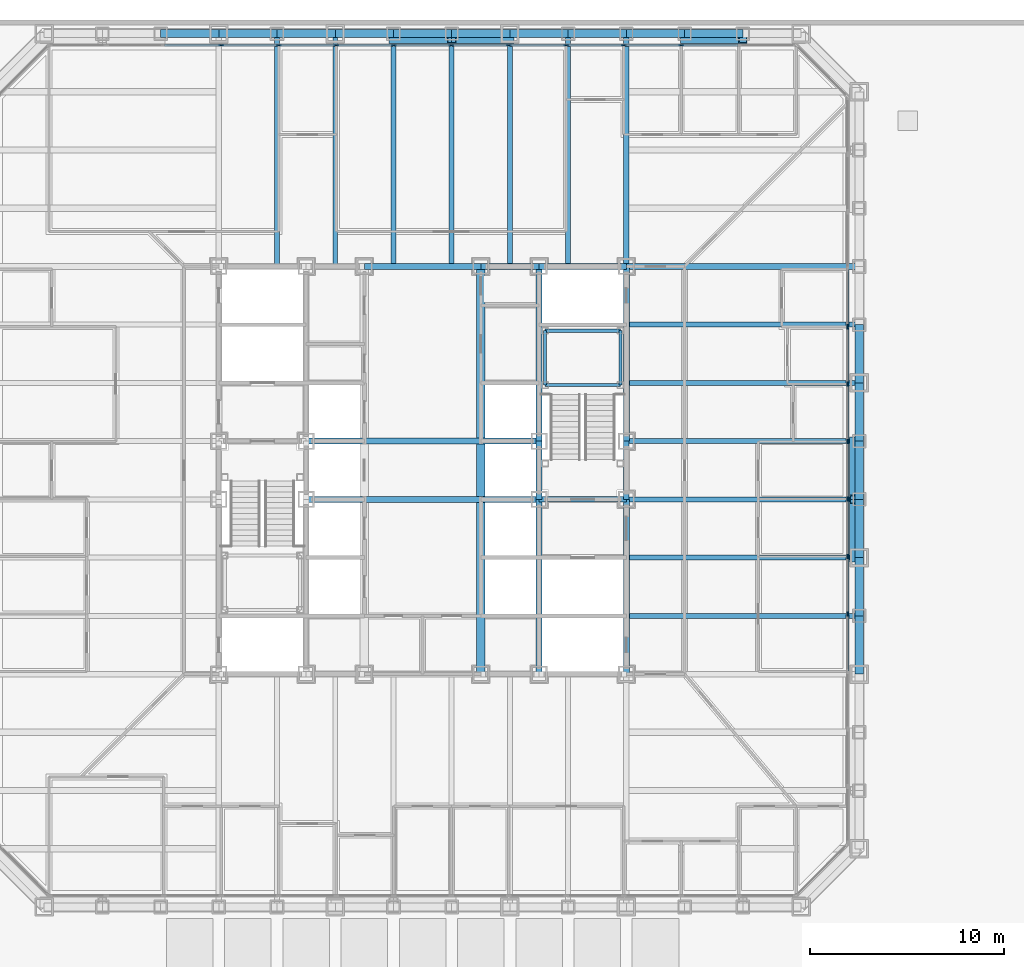
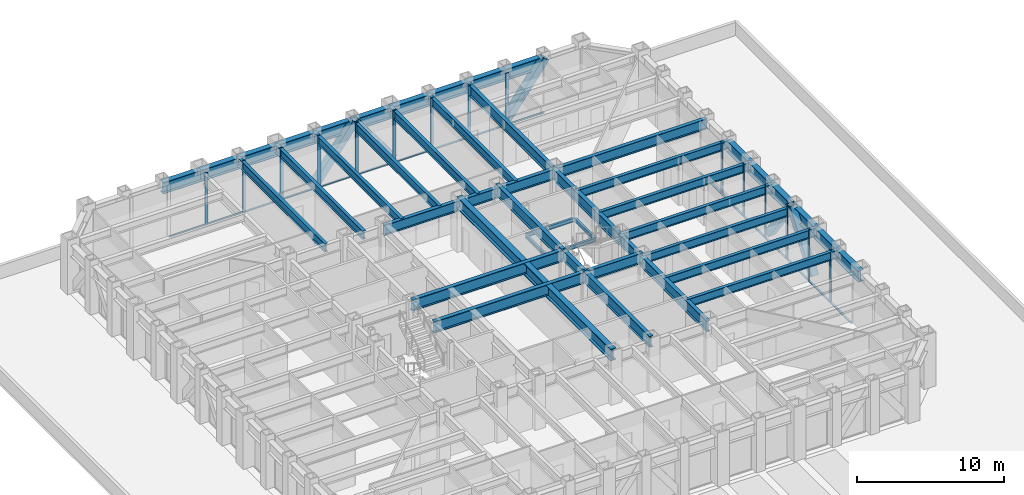
# One storey, part 5 of 18: 49 beams, 37 members, 2 elements without a shape of their own.
"""IFC4 building model written with IfcOpenShell, lengths in metres."""

from ifc_helpers import new_model, si_unit, direction, frame, origin, origin_2d, place, context, subcontext, project, spatial, rectangle, hollow_rectangle, i_section, extrude, material, layer, layer_set, material_profile, profile_set, type_object, element, aggregate, save


model = new_model("IFC4")

# Units and contexts
model_context = context("Model", 3, precision=1e-05, world=origin(), true_north=direction((0.0, 1.0)))
body_context = subcontext(model_context, "Body", "Model", "MODEL_VIEW")
ifc_project = project(units=[si_unit("LENGTHUNIT", "METRE"), si_unit("AREAUNIT", "SQUARE_METRE"), si_unit("VOLUMEUNIT", "CUBIC_METRE"), si_unit("PLANEANGLEUNIT", "RADIAN"), si_unit("MASSUNIT", "GRAM", prefix="KILO")], contexts=[model_context])

# Site, building, storey
site_placement = place(None, origin())
site = spatial("IfcSite", under=ifc_project, at=site_placement, CompositionType="ELEMENT")
building_placement = place(site_placement, origin())
building = spatial("IfcBuilding", under=site, at=building_placement, Name="Chuquiago Exchange Tower", CompositionType="ELEMENT")
storey_placement = place(building_placement, frame((0.0, 0.0, 24.300048828125)))
storey = spatial("IfcBuildingStorey", under=building, at=storey_placement, Name="L04", CompositionType="ELEMENT", Elevation=24.300048828125)

# Beams
ifc_material_1 = material(Name="Steel ASTM A992", Category="steel")
ifc_material_profile_1 = material_profile(ifc_material_1, i_section(OverallWidth=0.307373046875, OverallDepth=0.927001953125, WebThickness=0.01953125, FlangeThickness=0.031982421875, at=origin_2d()), Name="W36X194")
ifc_profile_set_1 = profile_set([ifc_material_profile_1], Name="Steel ASTM A992")
beam_type_1 = type_object("IfcBeamType", Name="B10 W36X194", PredefinedType="BEAM", material=ifc_profile_set_1)
for number, where, z_axis, x_axis, name in (
    (1, (28.5, 12.0, 3.87646484375), (0.0, 1.0, 0.0), (-1.0, 0.0, 0.0), "CB-L05-28.5_12-28.5_21"),
    (2, (28.5, 24.0, 3.87646484375), (0.0, 1.0, 0.0), (-1.0, 0.0, 0.0), "CB-L05-28.5_24-28.5_33"),
    (3, (33.0, 12.0, 3.576416015625), (0.0, 1.0, 0.0), (-1.0, 0.0, 0.0), "CB-L05-33_12-33_21"),
    (4, (33.0, 24.0, 3.576416015625), (0.0, 1.0, 0.0), (-1.0, 0.0, 0.0), "CB-L05-33_24-33_33"),
):
    element("IfcBeam", number, at=place(storey_placement, frame(where, z_axis=z_axis, x_axis=x_axis)), inside=storey, type_object=beam_type_1, Name=name, PredefinedType="BEAM", context=body_context, shape_type="SweptSolid", body=[
        extrude(i_section(OverallWidth=0.307373046875, OverallDepth=0.927001953125, WebThickness=0.01953125, FlangeThickness=0.031982421875, at=origin_2d()), origin(), (0.0, 0.0, 1.0), 9.0),
    ])
ifc_material_2 = material(Name="Steel ASTM A992", Category="steel")
ifc_material_profile_2 = material_profile(ifc_material_2, i_section(OverallWidth=0.309814453125, OverallDepth=0.949951171875, WebThickness=0.0244140625, FlangeThickness=0.0439453125, at=origin_2d()), Name="W36X256")
ifc_profile_set_2 = profile_set([ifc_material_profile_2], Name="Steel ASTM A992")
beam_type_2 = type_object("IfcBeamType", Name="B11 W36X256", PredefinedType="BEAM", material=ifc_profile_set_2)
for number, where, z_axis, x_axis, name in (
    (5, (16.5, 21.0, 3.864990234375), (1.0, 0.0, 0.0), (0.0, 1.0, 0.0), "CB-L05-16.5_21-28.5_21"),
    (6, (16.5, 24.0, 3.864990234375), (1.0, 0.0, 0.0), (0.0, 1.0, 0.0), "CB-L05-16.5_24-28.5_24"),
):
    element("IfcBeam", number, at=place(storey_placement, frame(where, z_axis=z_axis, x_axis=x_axis)), inside=storey, type_object=beam_type_2, Name=name, PredefinedType="BEAM", context=body_context, shape_type="SweptSolid", body=[
        extrude(i_section(OverallWidth=0.309814453125, OverallDepth=0.949951171875, WebThickness=0.0244140625, FlangeThickness=0.0439453125, at=origin_2d()), origin(), (0.0, 0.0, 1.0), 12.0),
    ])
ifc_material_3 = material(Name="Steel ASTM A992", Category="steel")
ifc_material_profile_3 = material_profile(ifc_material_3, i_section(OverallWidth=0.4267578125, OverallDepth=0.975341796875, WebThickness=0.031005859375, FlangeThickness=0.055908203125, at=origin_2d()), Name="W36X395")
ifc_profile_set_3 = profile_set([ifc_material_profile_3], Name="Steel ASTM A992")
beam_type_3 = type_object("IfcBeamType", Name="B12 W36X395", PredefinedType="BEAM", material=ifc_profile_set_3)
beam_1_placement = place(storey_placement, frame((25.5, 12.0, 3.852294921875), z_axis=(0.0, 1.0, 0.0), x_axis=(-1.0, 0.0, 0.0)))
element("IfcBeam", 7, at=beam_1_placement, inside=storey, type_object=beam_type_3, Name="CB-L05-25.5_12-25.5_20.8451", PredefinedType="BEAM", context=body_context, shape_type="SweptSolid", body=[
    extrude(i_section(OverallWidth=0.4267578125, OverallDepth=0.975341796875, WebThickness=0.031005859375, FlangeThickness=0.055908203125, at=origin_2d()), origin(), (0.0, 0.0, 1.0), 8.84521484375),
])
beam_2_placement = place(storey_placement, frame((25.5, 21.15478515625, 3.852294921875), z_axis=(0.0, 1.0, 0.0), x_axis=(-1.0, 0.0, 0.0)))
element("IfcBeam", 8, at=beam_2_placement, inside=storey, type_object=beam_type_3, Name="CB-L05-25.5_21.1549-25.5_23.8451", PredefinedType="BEAM", context=body_context, shape_type="SweptSolid", body=[
    extrude(i_section(OverallWidth=0.4267578125, OverallDepth=0.975341796875, WebThickness=0.031005859375, FlangeThickness=0.055908203125, at=origin_2d()), origin(), (0.0, 0.0, 1.0), 2.6904296875),
])
beam_3_placement = place(storey_placement, frame((25.5, 24.15478515625, 3.852294921875), z_axis=(0.0, 1.0, 0.0), x_axis=(-1.0, 0.0, 0.0)))
element("IfcBeam", 9, at=beam_3_placement, inside=storey, type_object=beam_type_3, Name="CB-L05-25.5_24.1549-25.5_33", PredefinedType="BEAM", context=body_context, shape_type="SweptSolid", body=[
    extrude(i_section(OverallWidth=0.4267578125, OverallDepth=0.975341796875, WebThickness=0.031005859375, FlangeThickness=0.055908203125, at=origin_2d()), origin(), (0.0, 0.0, 1.0), 8.84521484375),
])
ifc_material_4 = material(Name="Steel ASTM A992", Category="steel")
ifc_material_profile_4 = material_profile(ifc_material_4, i_section(OverallWidth=0.2919921875, OverallDepth=0.8583984375, WebThickness=0.01708984375, FlangeThickness=0.031005859375, at=origin_2d()), Name="W33X169")
ifc_profile_set_4 = profile_set([ifc_material_profile_4], Name="Steel ASTM A992")
beam_type_4 = type_object("IfcBeamType", Name="B3 W33X169", PredefinedType="BEAM", material=ifc_profile_set_4)
for number, where, z_axis, x_axis, name in (
    (10, (28.5, 21.0, 3.91064453125), (0.0, 1.0, 0.0), (-1.0, 0.0, 0.0), "CB-L05-28.5_21-28.5_24"),
    (11, (33.0, 21.0, 3.610595703125), (0.0, 1.0, 0.0), (-1.0, 0.0, 0.0), "CB-L05-33_21-33_24"),
):
    element("IfcBeam", number, at=place(storey_placement, frame(where, z_axis=z_axis, x_axis=x_axis)), inside=storey, type_object=beam_type_4, Name=name, PredefinedType="BEAM", context=body_context, shape_type="SweptSolid", body=[
        extrude(i_section(OverallWidth=0.2919921875, OverallDepth=0.8583984375, WebThickness=0.01708984375, FlangeThickness=0.031005859375, at=origin_2d()), origin(), (0.0, 0.0, 1.0), 3.0),
    ])
beam_4_placement = place(storey_placement, frame((28.5, 21.0, 3.91064453125), z_axis=(1.0, 0.0, 0.0), x_axis=(0.0, 1.0, 0.0)))
element("IfcBeam", 12, at=beam_4_placement, inside=storey, type_object=beam_type_4, Name="CB-L05-28.5_21-33_21", PredefinedType="BEAM", context=body_context, shape_type="SweptSolid", body=[
    extrude(i_section(OverallWidth=0.2919921875, OverallDepth=0.8583984375, WebThickness=0.01708984375, FlangeThickness=0.031005859375, at=origin_2d()), origin(), (0.0, 0.0, 1.0), 4.5),
])
beam_5_placement = place(storey_placement, frame((19.5, 33.0, 3.610595703125), z_axis=(1.0, 0.0, 0.0), x_axis=(0.0, 1.0, 0.0)))
element("IfcBeam", 13, at=beam_5_placement, inside=storey, type_object=beam_type_4, Name="CB-L05-19.5_33-25.5_33", PredefinedType="BEAM", context=body_context, shape_type="SweptSolid", body=[
    extrude(i_section(OverallWidth=0.2919921875, OverallDepth=0.8583984375, WebThickness=0.01708984375, FlangeThickness=0.031005859375, at=origin_2d()), origin(), (0.0, 0.0, 1.0), 6.0),
])
beam_6_placement = place(storey_placement, frame((25.5, 33.0, 3.610595703125), z_axis=(1.0, 0.0, 0.0), x_axis=(0.0, 1.0, 0.0)))
element("IfcBeam", 14, at=beam_6_placement, inside=storey, type_object=beam_type_4, Name="CB-L05-25.5_33-28.5_33", PredefinedType="BEAM", context=body_context, shape_type="SweptSolid", body=[
    extrude(i_section(OverallWidth=0.2919921875, OverallDepth=0.8583984375, WebThickness=0.01708984375, FlangeThickness=0.031005859375, at=origin_2d()), origin(), (0.0, 0.0, 1.0), 3.0),
])
beam_7_placement = place(storey_placement, frame((28.5, 33.0, 3.610595703125), z_axis=(1.0, 0.0, 0.0), x_axis=(0.0, 1.0, 0.0)))
element("IfcBeam", 15, at=beam_7_placement, inside=storey, type_object=beam_type_4, Name="CB-L05-28.5_33-33_33", PredefinedType="BEAM", context=body_context, shape_type="SweptSolid", body=[
    extrude(i_section(OverallWidth=0.2919921875, OverallDepth=0.8583984375, WebThickness=0.01708984375, FlangeThickness=0.031005859375, at=origin_2d()), origin(), (0.0, 0.0, 1.0), 4.5),
])
ifc_material_5 = material(Name="Steel ASTM A992", Category="steel")
ifc_material_profile_5 = material_profile(ifc_material_5, i_section(OverallWidth=0.256591796875, OverallDepth=0.693359375, WebThickness=0.014404296875, FlangeThickness=0.023681640625, at=origin_2d()), Name="W27X114")
ifc_profile_set_5 = profile_set([ifc_material_profile_5], Name="Steel ASTM A992")
beam_type_5 = type_object("IfcBeamType", Name="B4 W27X114", PredefinedType="BEAM", material=ifc_profile_set_5)
for number, where, z_axis, x_axis, name in (
    (16, (15.0, 33.0, 3.693359375), (0.0, 1.0, 0.0), (-1.0, 0.0, 0.0), "FB-L05-infill-15_33-15_45-0"),
    (17, (18.0, 33.0, 3.693359375), (0.0, 1.0, 0.0), (-1.0, 0.0, 0.0), "FB-L05-infill-18_33-18_45-0"),
    (18, (21.0, 33.0, 3.693359375), (0.0, 1.0, 0.0), (-1.0, 0.0, 0.0), "FB-L05-infill-21_33-21_45-0"),
    (19, (24.0, 33.0, 3.693359375), (0.0, 1.0, 0.0), (-1.0, 0.0, 0.0), "FB-L05-infill-24_33-24_45-0"),
    (20, (27.0, 33.0, 3.693359375), (0.0, 1.0, 0.0), (-1.0, 0.0, 0.0), "FB-L05-infill-27_33-27_45-0"),
    (21, (30.0, 33.0, 3.693359375), (0.0, 1.0, 0.0), (-1.0, 0.0, 0.0), "FB-L05-infill-30_33-30_45-0"),
    (22, (33.0, 15.0, 3.693359375), (1.0, 0.0, 0.0), (0.0, 1.0, 0.0), "FB-L05-infill-33_15-45_15-0"),
    (23, (33.0, 18.0, 3.693359375), (1.0, 0.0, 0.0), (0.0, 1.0, 0.0), "FB-L05-infill-33_18-45_18-0"),
    (24, (33.0, 21.0, 3.693359375), (1.0, 0.0, 0.0), (0.0, 1.0, 0.0), "FB-L05-infill-33_21-45_21-0"),
    (25, (33.0, 24.0, 3.693359375), (1.0, 0.0, 0.0), (0.0, 1.0, 0.0), "FB-L05-infill-33_24-45_24-0"),
    (26, (33.0, 27.0, 3.693359375), (1.0, 0.0, 0.0), (0.0, 1.0, 0.0), "FB-L05-infill-33_27-45_27-0"),
    (27, (33.0, 30.0, 3.693359375), (1.0, 0.0, 0.0), (0.0, 1.0, 0.0), "FB-L05-infill-33_30-45_30-0"),
):
    element("IfcBeam", number, at=place(storey_placement, frame(where, z_axis=z_axis, x_axis=x_axis)), inside=storey, type_object=beam_type_5, Name=name, PredefinedType="BEAM", context=body_context, shape_type="SweptSolid", body=[
        extrude(i_section(OverallWidth=0.256591796875, OverallDepth=0.693359375, WebThickness=0.014404296875, FlangeThickness=0.023681640625, at=origin_2d()), origin(), (0.0, 0.0, 1.0), 12.0),
    ])

# Curtain wall, members
ifc_material_6 = material(Name="Aluminium curtain wall system", Category="aluminium")
ifc_layer = layer(ifc_material_6, 0.25)
ifc_layer_set = layer_set([ifc_layer], Name="CW1 trading floor curtain wall")
curtain_wall_type = type_object("IfcCurtainWallType", Name="CW1 trading floor curtain wall", PredefinedType="NOTDEFINED", material=ifc_layer_set)
curtain_wall_1_placement = place(storey_placement, origin())
curtain_wall_1 = element("IfcCurtainWall", 28, at=curtain_wall_1_placement, inside=storey, type_object=curtain_wall_type, Name="CW1 curtain wall L04", PredefinedType="NOTDEFINED")
ifc_material_7 = material(Name="Aluminium mullion, pale anodised", Category="aluminium")
ifc_material_profile_6 = material_profile(ifc_material_7, rectangle(XDim=0.074951171875, YDim=0.25, at=origin_2d()), Name="AL 75x250")
ifc_profile_set_6 = profile_set([ifc_material_profile_6], Name="Aluminium mullion, pale anodised")
member_type_1 = type_object("IfcMemberType", Name="CW1-M mullion 75x250", PredefinedType="MULLION", material=ifc_profile_set_6)
member_1_placement = place(storey_placement, frame((44.39990234375, 15.095458984375, -0.300048828125), z_axis=(0.0, 0.0, 1.0), x_axis=(-1.0, 0.0, 0.0)))
member_1 = element("IfcMember", 29, at=member_1_placement, type_object=member_type_1, Name="CW1 mullion 5", PredefinedType="MULLION", context=body_context, shape_type="SweptSolid", body=[
    extrude(rectangle(XDim=0.074951171875, YDim=0.25, at=origin_2d()), origin(), (0.0, 0.0, 1.0), 4.340087890625),
])
member_2_placement = place(storey_placement, frame((44.39990234375, 18.057373046875, -0.300048828125), z_axis=(0.0, 0.0, 1.0), x_axis=(-1.0, 0.0, 0.0)))
member_2 = element("IfcMember", 30, at=member_2_placement, type_object=member_type_1, Name="CW1 mullion 6", PredefinedType="MULLION", context=body_context, shape_type="SweptSolid", body=[
    extrude(rectangle(XDim=0.074951171875, YDim=0.25, at=origin_2d()), origin(), (0.0, 0.0, 1.0), 4.340087890625),
])
member_3_placement = place(storey_placement, frame((44.39990234375, 21.01904296875, -0.300048828125), z_axis=(0.0, 0.0, 1.0), x_axis=(-1.0, 0.0, 0.0)))
member_3 = element("IfcMember", 31, at=member_3_placement, type_object=member_type_1, Name="CW1 mullion 7", PredefinedType="MULLION", context=body_context, shape_type="SweptSolid", body=[
    extrude(rectangle(XDim=0.074951171875, YDim=0.25, at=origin_2d()), origin(), (0.0, 0.0, 1.0), 4.340087890625),
])
member_4_placement = place(storey_placement, frame((44.39990234375, 23.98095703125, -0.300048828125), z_axis=(0.0, 0.0, 1.0), x_axis=(-1.0, 0.0, 0.0)))
member_4 = element("IfcMember", 32, at=member_4_placement, type_object=member_type_1, Name="CW1 mullion 8", PredefinedType="MULLION", context=body_context, shape_type="SweptSolid", body=[
    extrude(rectangle(XDim=0.074951171875, YDim=0.25, at=origin_2d()), origin(), (0.0, 0.0, 1.0), 4.340087890625),
])
member_5_placement = place(storey_placement, frame((44.39990234375, 26.942626953125, -0.300048828125), z_axis=(0.0, 0.0, 1.0), x_axis=(-1.0, 0.0, 0.0)))
member_5 = element("IfcMember", 33, at=member_5_placement, type_object=member_type_1, Name="CW1 mullion 9", PredefinedType="MULLION", context=body_context, shape_type="SweptSolid", body=[
    extrude(rectangle(XDim=0.074951171875, YDim=0.25, at=origin_2d()), origin(), (0.0, 0.0, 1.0), 4.340087890625),
])
member_6_placement = place(storey_placement, frame((44.39990234375, 29.904541015625, -0.300048828125), z_axis=(0.0, 0.0, 1.0), x_axis=(-1.0, 0.0, 0.0)))
member_6 = element("IfcMember", 34, at=member_6_placement, type_object=member_type_1, Name="CW1 mullion 10", PredefinedType="MULLION", context=body_context, shape_type="SweptSolid", body=[
    extrude(rectangle(XDim=0.074951171875, YDim=0.25, at=origin_2d()), origin(), (0.0, 0.0, 1.0), 4.340087890625),
])

curtain_wall_2_placement = place(storey_placement, origin())
curtain_wall_2 = element("IfcCurtainWall", 35, at=curtain_wall_2_placement, inside=storey, type_object=curtain_wall_type, Name="CW1 curtain wall L04", PredefinedType="NOTDEFINED")
member_7_placement = place(storey_placement, frame((35.827880859375, 44.39990234375, -0.300048828125), z_axis=(0.0, 0.0, 1.0), x_axis=(0.0, -1.0, 0.0)))
member_7 = element("IfcMember", 36, at=member_7_placement, type_object=member_type_1, Name="CW1 mullion 3", PredefinedType="MULLION", context=body_context, shape_type="SweptSolid", body=[
    extrude(rectangle(XDim=0.074951171875, YDim=0.25, at=origin_2d()), origin(), (0.0, 0.0, 1.0), 4.340087890625),
])
member_8_placement = place(storey_placement, frame((32.8662109375, 44.39990234375, -0.300048828125), z_axis=(0.0, 0.0, 1.0), x_axis=(0.0, -1.0, 0.0)))
member_8 = element("IfcMember", 37, at=member_8_placement, type_object=member_type_1, Name="CW1 mullion 4", PredefinedType="MULLION", context=body_context, shape_type="SweptSolid", body=[
    extrude(rectangle(XDim=0.074951171875, YDim=0.25, at=origin_2d()), origin(), (0.0, 0.0, 1.0), 4.340087890625),
])
member_9_placement = place(storey_placement, frame((29.904541015625, 44.39990234375, -0.300048828125), z_axis=(0.0, 0.0, 1.0), x_axis=(0.0, -1.0, 0.0)))
member_9 = element("IfcMember", 38, at=member_9_placement, type_object=member_type_1, Name="CW1 mullion 5", PredefinedType="MULLION", context=body_context, shape_type="SweptSolid", body=[
    extrude(rectangle(XDim=0.074951171875, YDim=0.25, at=origin_2d()), origin(), (0.0, 0.0, 1.0), 4.340087890625),
])
member_10_placement = place(storey_placement, frame((26.942626953125, 44.39990234375, -0.300048828125), z_axis=(0.0, 0.0, 1.0), x_axis=(0.0, -1.0, 0.0)))
member_10 = element("IfcMember", 39, at=member_10_placement, type_object=member_type_1, Name="CW1 mullion 6", PredefinedType="MULLION", context=body_context, shape_type="SweptSolid", body=[
    extrude(rectangle(XDim=0.074951171875, YDim=0.25, at=origin_2d()), origin(), (0.0, 0.0, 1.0), 4.340087890625),
])
member_11_placement = place(storey_placement, frame((23.98095703125, 44.39990234375, -0.300048828125), z_axis=(0.0, 0.0, 1.0), x_axis=(0.0, -1.0, 0.0)))
member_11 = element("IfcMember", 40, at=member_11_placement, type_object=member_type_1, Name="CW1 mullion 7", PredefinedType="MULLION", context=body_context, shape_type="SweptSolid", body=[
    extrude(rectangle(XDim=0.074951171875, YDim=0.25, at=origin_2d()), origin(), (0.0, 0.0, 1.0), 4.340087890625),
])
member_12_placement = place(storey_placement, frame((21.01904296875, 44.39990234375, -0.300048828125), z_axis=(0.0, 0.0, 1.0), x_axis=(0.0, -1.0, 0.0)))
member_12 = element("IfcMember", 41, at=member_12_placement, type_object=member_type_1, Name="CW1 mullion 8", PredefinedType="MULLION", context=body_context, shape_type="SweptSolid", body=[
    extrude(rectangle(XDim=0.074951171875, YDim=0.25, at=origin_2d()), origin(), (0.0, 0.0, 1.0), 4.340087890625),
])
member_13_placement = place(storey_placement, frame((18.057373046875, 44.39990234375, -0.300048828125), z_axis=(0.0, 0.0, 1.0), x_axis=(0.0, -1.0, 0.0)))
member_13 = element("IfcMember", 42, at=member_13_placement, type_object=member_type_1, Name="CW1 mullion 9", PredefinedType="MULLION", context=body_context, shape_type="SweptSolid", body=[
    extrude(rectangle(XDim=0.074951171875, YDim=0.25, at=origin_2d()), origin(), (0.0, 0.0, 1.0), 4.340087890625),
])
member_14_placement = place(storey_placement, frame((15.095458984375, 44.39990234375, -0.300048828125), z_axis=(0.0, 0.0, 1.0), x_axis=(0.0, -1.0, 0.0)))
member_14 = element("IfcMember", 43, at=member_14_placement, type_object=member_type_1, Name="CW1 mullion 10", PredefinedType="MULLION", context=body_context, shape_type="SweptSolid", body=[
    extrude(rectangle(XDim=0.074951171875, YDim=0.25, at=origin_2d()), origin(), (0.0, 0.0, 1.0), 4.340087890625),
])
member_15_placement = place(storey_placement, frame((12.1337890625, 44.39990234375, -0.300048828125), z_axis=(0.0, 0.0, 1.0), x_axis=(0.0, -1.0, 0.0)))
member_15 = element("IfcMember", 44, at=member_15_placement, type_object=member_type_1, Name="CW1 mullion 11", PredefinedType="MULLION", context=body_context, shape_type="SweptSolid", body=[
    extrude(rectangle(XDim=0.074951171875, YDim=0.25, at=origin_2d()), origin(), (0.0, 0.0, 1.0), 4.340087890625),
])

# Member
ifc_material_8 = material(Name="Aluminium transom, pale anodised", Category="aluminium")
ifc_material_profile_7 = material_profile(ifc_material_8, rectangle(XDim=0.14990234375, YDim=0.074951171875, at=origin_2d()), Name="AL 150x75")
ifc_profile_set_7 = profile_set([ifc_material_profile_7], Name="Aluminium transom, pale anodised")
member_type_2 = type_object("IfcMemberType", Name="CW1-T transom 75x150", PredefinedType="MULLION", material=ifc_profile_set_7)
member_16_placement = place(storey_placement, frame((44.39990234375, 12.17138671875, -0.262451171875), z_axis=(0.0, 1.0, 0.0), x_axis=(-1.0, 0.0, 0.0)))
member_16 = element("IfcMember", 45, at=member_16_placement, type_object=member_type_2, Name="CW1 transom 4.1", PredefinedType="MULLION", context=body_context, shape_type="SweptSolid", body=[
    extrude(rectangle(XDim=0.14990234375, YDim=0.074951171875, at=origin_2d()), origin(), (0.0, 0.0, 1.0), 2.88671875),
])

member_17_placement = place(storey_placement, frame((44.39990234375, 15.133056640625, -0.262451171875), z_axis=(0.0, 1.0, 0.0), x_axis=(-1.0, 0.0, 0.0)))
member_17 = element("IfcMember", 46, at=member_17_placement, type_object=member_type_2, Name="CW1 transom 5.1", PredefinedType="MULLION", context=body_context, shape_type="SweptSolid", body=[
    extrude(rectangle(XDim=0.14990234375, YDim=0.074951171875, at=origin_2d()), origin(), (0.0, 0.0, 1.0), 2.88671875),
])

member_18_placement = place(storey_placement, frame((44.39990234375, 18.0947265625, -0.262451171875), z_axis=(0.0, 1.0, 0.0), x_axis=(-1.0, 0.0, 0.0)))
member_18 = element("IfcMember", 47, at=member_18_placement, type_object=member_type_2, Name="CW1 transom 6.1", PredefinedType="MULLION", context=body_context, shape_type="SweptSolid", body=[
    extrude(rectangle(XDim=0.14990234375, YDim=0.074951171875, at=origin_2d()), origin(), (0.0, 0.0, 1.0), 2.886962890625),
])

member_19_placement = place(storey_placement, frame((44.39990234375, 21.056640625, -0.262451171875), z_axis=(0.0, 1.0, 0.0), x_axis=(-1.0, 0.0, 0.0)))
member_19 = element("IfcMember", 48, at=member_19_placement, type_object=member_type_2, Name="CW1 transom 7.1", PredefinedType="MULLION", context=body_context, shape_type="SweptSolid", body=[
    extrude(rectangle(XDim=0.14990234375, YDim=0.074951171875, at=origin_2d()), origin(), (0.0, 0.0, 1.0), 2.88671875),
])

member_20_placement = place(storey_placement, frame((44.39990234375, 24.018310546875, -0.262451171875), z_axis=(0.0, 1.0, 0.0), x_axis=(-1.0, 0.0, 0.0)))
member_20 = element("IfcMember", 49, at=member_20_placement, type_object=member_type_2, Name="CW1 transom 8.1", PredefinedType="MULLION", context=body_context, shape_type="SweptSolid", body=[
    extrude(rectangle(XDim=0.14990234375, YDim=0.074951171875, at=origin_2d()), origin(), (0.0, 0.0, 1.0), 2.886962890625),
])

member_21_placement = place(storey_placement, frame((44.39990234375, 26.980224609375, -0.262451171875), z_axis=(0.0, 1.0, 0.0), x_axis=(-1.0, 0.0, 0.0)))
member_21 = element("IfcMember", 50, at=member_21_placement, type_object=member_type_2, Name="CW1 transom 9.1", PredefinedType="MULLION", context=body_context, shape_type="SweptSolid", body=[
    extrude(rectangle(XDim=0.14990234375, YDim=0.074951171875, at=origin_2d()), origin(), (0.0, 0.0, 1.0), 2.88671875),
])

member_22_placement = place(storey_placement, frame((44.39990234375, 29.94189453125, -0.262451171875), z_axis=(0.0, 1.0, 0.0), x_axis=(-1.0, 0.0, 0.0)))
member_22 = element("IfcMember", 51, at=member_22_placement, type_object=member_type_2, Name="CW1 transom 10.1", PredefinedType="MULLION", context=body_context, shape_type="SweptSolid", body=[
    extrude(rectangle(XDim=0.14990234375, YDim=0.074951171875, at=origin_2d()), origin(), (0.0, 0.0, 1.0), 2.88671875),
])

aggregate(curtain_wall_1, [member_1, member_2, member_3, member_4, member_5, member_6, member_16, member_17, member_18, member_19, member_20, member_21, member_22])

member_23_placement = place(storey_placement, frame((38.752197265625, 44.39990234375, -0.262451171875), z_axis=(-1.0, 0.0, 0.0), x_axis=(0.0, -1.0, 0.0)))
member_23 = element("IfcMember", 52, at=member_23_placement, type_object=member_type_2, Name="CW1 transom 2.1", PredefinedType="MULLION", context=body_context, shape_type="SweptSolid", body=[
    extrude(rectangle(XDim=0.14990234375, YDim=0.074951171875, at=origin_2d()), origin(), (0.0, 0.0, 1.0), 2.88671875),
])

member_24_placement = place(storey_placement, frame((35.79052734375, 44.39990234375, -0.262451171875), z_axis=(-1.0, 0.0, 0.0), x_axis=(0.0, -1.0, 0.0)))
member_24 = element("IfcMember", 53, at=member_24_placement, type_object=member_type_2, Name="CW1 transom 3.1", PredefinedType="MULLION", context=body_context, shape_type="SweptSolid", body=[
    extrude(rectangle(XDim=0.14990234375, YDim=0.074951171875, at=origin_2d()), origin(), (0.0, 0.0, 1.0), 2.88671875),
])

member_25_placement = place(storey_placement, frame((32.82861328125, 44.39990234375, -0.262451171875), z_axis=(-1.0, 0.0, 0.0), x_axis=(0.0, -1.0, 0.0)))
member_25 = element("IfcMember", 54, at=member_25_placement, type_object=member_type_2, Name="CW1 transom 4.1", PredefinedType="MULLION", context=body_context, shape_type="SweptSolid", body=[
    extrude(rectangle(XDim=0.14990234375, YDim=0.074951171875, at=origin_2d()), origin(), (0.0, 0.0, 1.0), 2.88671875),
])

member_26_placement = place(storey_placement, frame((29.866943359375, 44.39990234375, -0.262451171875), z_axis=(-1.0, 0.0, 0.0), x_axis=(0.0, -1.0, 0.0)))
member_26 = element("IfcMember", 55, at=member_26_placement, type_object=member_type_2, Name="CW1 transom 5.1", PredefinedType="MULLION", context=body_context, shape_type="SweptSolid", body=[
    extrude(rectangle(XDim=0.14990234375, YDim=0.074951171875, at=origin_2d()), origin(), (0.0, 0.0, 1.0), 2.88671875),
])

member_27_placement = place(storey_placement, frame((26.9052734375, 44.39990234375, -0.262451171875), z_axis=(-1.0, 0.0, 0.0), x_axis=(0.0, -1.0, 0.0)))
member_27 = element("IfcMember", 56, at=member_27_placement, type_object=member_type_2, Name="CW1 transom 6.1", PredefinedType="MULLION", context=body_context, shape_type="SweptSolid", body=[
    extrude(rectangle(XDim=0.14990234375, YDim=0.074951171875, at=origin_2d()), origin(), (0.0, 0.0, 1.0), 2.886962890625),
])

member_28_placement = place(storey_placement, frame((23.943359375, 44.39990234375, -0.262451171875), z_axis=(-1.0, 0.0, 0.0), x_axis=(0.0, -1.0, 0.0)))
member_28 = element("IfcMember", 57, at=member_28_placement, type_object=member_type_2, Name="CW1 transom 7.1", PredefinedType="MULLION", context=body_context, shape_type="SweptSolid", body=[
    extrude(rectangle(XDim=0.14990234375, YDim=0.074951171875, at=origin_2d()), origin(), (0.0, 0.0, 1.0), 2.88671875),
])

member_29_placement = place(storey_placement, frame((20.981689453125, 44.39990234375, -0.262451171875), z_axis=(-1.0, 0.0, 0.0), x_axis=(0.0, -1.0, 0.0)))
member_29 = element("IfcMember", 58, at=member_29_placement, type_object=member_type_2, Name="CW1 transom 8.1", PredefinedType="MULLION", context=body_context, shape_type="SweptSolid", body=[
    extrude(rectangle(XDim=0.14990234375, YDim=0.074951171875, at=origin_2d()), origin(), (0.0, 0.0, 1.0), 2.886962890625),
])

member_30_placement = place(storey_placement, frame((18.019775390625, 44.39990234375, -0.262451171875), z_axis=(-1.0, 0.0, 0.0), x_axis=(0.0, -1.0, 0.0)))
member_30 = element("IfcMember", 59, at=member_30_placement, type_object=member_type_2, Name="CW1 transom 9.1", PredefinedType="MULLION", context=body_context, shape_type="SweptSolid", body=[
    extrude(rectangle(XDim=0.14990234375, YDim=0.074951171875, at=origin_2d()), origin(), (0.0, 0.0, 1.0), 2.88671875),
])

member_31_placement = place(storey_placement, frame((15.05810546875, 44.39990234375, -0.262451171875), z_axis=(-1.0, 0.0, 0.0), x_axis=(0.0, -1.0, 0.0)))
member_31 = element("IfcMember", 60, at=member_31_placement, type_object=member_type_2, Name="CW1 transom 10.1", PredefinedType="MULLION", context=body_context, shape_type="SweptSolid", body=[
    extrude(rectangle(XDim=0.14990234375, YDim=0.074951171875, at=origin_2d()), origin(), (0.0, 0.0, 1.0), 2.88671875),
])

member_32_placement = place(storey_placement, frame((12.09619140625, 44.39990234375, -0.262451171875), z_axis=(-1.0, 0.0, 0.0), x_axis=(0.0, -1.0, 0.0)))
member_32 = element("IfcMember", 61, at=member_32_placement, type_object=member_type_2, Name="CW1 transom 11.1", PredefinedType="MULLION", context=body_context, shape_type="SweptSolid", body=[
    extrude(rectangle(XDim=0.14990234375, YDim=0.074951171875, at=origin_2d()), origin(), (0.0, 0.0, 1.0), 2.88671875),
])

aggregate(curtain_wall_2, [member_7, member_8, member_9, member_10, member_11, member_12, member_13, member_14, member_15, member_23, member_24, member_25, member_26, member_27, member_28, member_29, member_30, member_31, member_32])

# Beams
ifc_material_9 = material(Name="Steel ASTM A992", Category="steel")
ifc_material_profile_8 = material_profile(ifc_material_9, i_section(OverallWidth=0.2919921875, OverallDepth=0.8583984375, WebThickness=0.01708984375, FlangeThickness=0.031005859375, at=origin_2d()), Name="W33X169")
ifc_profile_set_8 = profile_set([ifc_material_profile_8], Name="Steel ASTM A992")
beam_type_6 = type_object("IfcBeamType", Name="G2 W33X169", PredefinedType="BEAM", material=ifc_profile_set_8)
for number, where, z_axis, x_axis, name in (
    (62, (33.0, 33.0, 3.610595703125), (0.0, 1.0, 0.0), (-1.0, 0.0, 0.0), "FB-L05-girder-33_33-33_45-0"),
    (63, (33.0, 33.0, 3.610595703125), (1.0, 0.0, 0.0), (0.0, 1.0, 0.0), "FB-L05-girder-33_33-45_33-0"),
):
    element("IfcBeam", number, at=place(storey_placement, frame(where, z_axis=z_axis, x_axis=x_axis)), inside=storey, type_object=beam_type_6, Name=name, PredefinedType="BEAM", context=body_context, shape_type="SweptSolid", body=[
        extrude(i_section(OverallWidth=0.2919921875, OverallDepth=0.8583984375, WebThickness=0.01708984375, FlangeThickness=0.031005859375, at=origin_2d()), origin(), (0.0, 0.0, 1.0), 12.0),
    ])
ifc_material_10 = material(Name="Steel ASTM A992", Category="steel")
ifc_material_profile_9 = material_profile(ifc_material_10, i_section(OverallWidth=0.164794921875, OverallDepth=0.309814453125, WebThickness=0.005859375, FlangeThickness=0.009765625, at=origin_2d()), Name="W12X26")
ifc_profile_set_9 = profile_set([ifc_material_profile_9], Name="Steel ASTM A992")
beam_type_7 = type_object("IfcBeamType", Name="LS1 W12X26", PredefinedType="BEAM", material=ifc_profile_set_9)
for number, where, z_axis, x_axis, name in (
    (64, (28.81005859375, 26.889892578125, 1.89501953125), (0.0, 1.0, 0.0), (-1.0, 0.0, 0.0), "Stair ST2 L04 landing 1 stringer"),
    (65, (32.68994140625, 26.889892578125, 1.89501953125), (0.0, 1.0, 0.0), (-1.0, 0.0, 0.0), "Stair ST2 L04 landing 1 stringer"),
):
    element("IfcBeam", number, at=place(storey_placement, frame(where, z_axis=z_axis, x_axis=x_axis)), inside=storey, type_object=beam_type_7, Name=name, PredefinedType="BEAM", context=body_context, shape_type="SweptSolid", body=[
        extrude(i_section(OverallWidth=0.164794921875, OverallDepth=0.309814453125, WebThickness=0.005859375, FlangeThickness=0.009765625, at=origin_2d()), origin(), (0.0, 0.0, 1.0), 2.800048828125),
    ])
ifc_material_11 = material(Name="Steel ASTM A992", Category="steel")
ifc_material_profile_10 = material_profile(ifc_material_11, i_section(OverallWidth=0.164794921875, OverallDepth=0.309814453125, WebThickness=0.005859375, FlangeThickness=0.009765625, at=origin_2d()), Name="W12X26")
ifc_profile_set_10 = profile_set([ifc_material_profile_10], Name="Steel ASTM A992")
beam_type_8 = type_object("IfcBeamType", Name="LT1 W12X26", PredefinedType="BEAM", material=ifc_profile_set_10)
for number, where, z_axis, x_axis, name in (
    (66, (28.81005859375, 29.68994140625, 1.89501953125), (1.0, 0.0, 0.0), (0.0, 1.0, 0.0), "Stair ST2 L04 landing 1 trimmer"),
    (67, (28.81005859375, 26.889892578125, 1.89501953125), (1.0, 0.0, 0.0), (0.0, 1.0, 0.0), "Stair ST2 L04 landing 1 trimmer"),
):
    element("IfcBeam", number, at=place(storey_placement, frame(where, z_axis=z_axis, x_axis=x_axis)), inside=storey, type_object=beam_type_8, Name=name, PredefinedType="BEAM", context=body_context, shape_type="SweptSolid", body=[
        extrude(i_section(OverallWidth=0.164794921875, OverallDepth=0.309814453125, WebThickness=0.005859375, FlangeThickness=0.009765625, at=origin_2d()), origin(), (0.0, 0.0, 1.0), 3.8798828125),
    ])

# Members
ifc_material_12 = material(Name="Steel ASTM A572 Grade 50", Category="steel")
ifc_material_profile_11 = material_profile(ifc_material_12, hollow_rectangle(XDim=0.550048828125, YDim=0.550048828125, WallThickness=0.044921875, at=origin_2d()), Name="BOX550X550X45")
ifc_profile_set_11 = profile_set([ifc_material_profile_11], Name="Steel ASTM A572 Grade 50")
member_type_3 = type_object("IfcMemberType", Name="MB1 BOX550X550X45", PredefinedType="BRACE", material=ifc_profile_set_11)
for number, where, z_axis, x_axis, name in (
    (68, (44.77001953125, 18.0, 0.0), (0.0, 0.596173923302, 0.802855312728), (-1.0, 0.0, 0.0), "Mega diagonal L04 E face"),
    (69, (44.77001953125, 24.0, 0.0), (0.0, -0.596173923302, 0.802855312728), (1.0, 0.0, 0.0), "Mega diagonal L04 E face"),
    (70, (36.0, 44.77001953125, 0.0), (0.596173923302, 0.0, 0.802855312728), (0.0, 1.0, 0.0), "Mega diagonal L04 N face"),
    (71, (27.0, 44.77001953125, 0.0), (-0.596173923302, 0.0, 0.802855312728), (0.0, -1.0, 0.0), "Mega diagonal L04 N face"),
    (72, (21.0, 44.77001953125, 0.0), (0.596173923302, 0.0, 0.802855312728), (0.0, 1.0, 0.0), "Mega diagonal L04 N face"),
):
    element("IfcMember", number, at=place(storey_placement, frame(where, z_axis=z_axis, x_axis=x_axis)), inside=storey, type_object=member_type_3, Name=name, PredefinedType="BRACE", context=body_context, shape_type="SweptSolid", body=[
        extrude(hollow_rectangle(XDim=0.550048828125, YDim=0.550048828125, WallThickness=0.044921875, at=origin_2d()), origin(), (0.0, 0.0, 1.0), 5.031982421875),
    ])

# Beams
ifc_material_13 = material(Name="Steel ASTM A992", Category="steel")
ifc_material_profile_12 = material_profile(ifc_material_13, i_section(OverallWidth=0.424072265625, OverallDepth=0.947509765625, WebThickness=0.02392578125, FlangeThickness=0.042724609375, at=origin_2d()), Name="W36X302")
ifc_profile_set_12 = profile_set([ifc_material_profile_12], Name="Steel ASTM A992")
beam_type_9 = type_object("IfcBeamType", Name="SP1 W36X302", PredefinedType="SPANDREL", material=ifc_profile_set_12)
for number, where, z_axis, x_axis, name in (
    (73, (45.0, 12.0, 3.566162109375), (0.0, 1.0, 0.0), (-1.0, 0.0, 0.0), "SPB-L05-45_12-45_15"),
    (74, (45.0, 15.0, 3.566162109375), (0.0, 1.0, 0.0), (-1.0, 0.0, 0.0), "SPB-L05-45_15-45_18"),
    (75, (45.0, 18.0, 3.566162109375), (0.0, 1.0, 0.0), (-1.0, 0.0, 0.0), "SPB-L05-45_18-45_21"),
    (76, (45.0, 21.0, 3.566162109375), (0.0, 1.0, 0.0), (-1.0, 0.0, 0.0), "SPB-L05-45_21-45_24"),
    (77, (45.0, 24.0, 3.566162109375), (0.0, 1.0, 0.0), (-1.0, 0.0, 0.0), "SPB-L05-45_24-45_27"),
    (78, (45.0, 27.0, 3.566162109375), (0.0, 1.0, 0.0), (-1.0, 0.0, 0.0), "SPB-L05-45_27-45_30"),
    (79, (39.0, 45.0, 3.566162109375), (-1.0, 0.0, 0.0), (0.0, -1.0, 0.0), "SPB-L05-39_45-36_45"),
    (80, (36.0, 45.0, 3.566162109375), (-1.0, 0.0, 0.0), (0.0, -1.0, 0.0), "SPB-L05-36_45-33_45"),
    (81, (33.0, 45.0, 3.566162109375), (-1.0, 0.0, 0.0), (0.0, -1.0, 0.0), "SPB-L05-33_45-30_45"),
    (82, (30.0, 45.0, 3.566162109375), (-1.0, 0.0, 0.0), (0.0, -1.0, 0.0), "SPB-L05-30_45-27_45"),
    (83, (27.0, 45.0, 3.566162109375), (-1.0, 0.0, 0.0), (0.0, -1.0, 0.0), "SPB-L05-27_45-24_45"),
    (84, (24.0, 45.0, 3.566162109375), (-1.0, 0.0, 0.0), (0.0, -1.0, 0.0), "SPB-L05-24_45-21_45"),
    (85, (21.0, 45.0, 3.566162109375), (-1.0, 0.0, 0.0), (0.0, -1.0, 0.0), "SPB-L05-21_45-18_45"),
    (86, (18.0, 45.0, 3.566162109375), (-1.0, 0.0, 0.0), (0.0, -1.0, 0.0), "SPB-L05-18_45-15_45"),
    (87, (15.0, 45.0, 3.566162109375), (-1.0, 0.0, 0.0), (0.0, -1.0, 0.0), "SPB-L05-15_45-12_45"),
    (88, (12.0, 45.0, 3.566162109375), (-1.0, 0.0, 0.0), (0.0, -1.0, 0.0), "SPB-L05-12_45-9_45"),
):
    element("IfcBeam", number, at=place(storey_placement, frame(where, z_axis=z_axis, x_axis=x_axis)), inside=storey, type_object=beam_type_9, Name=name, PredefinedType="SPANDREL", context=body_context, shape_type="SweptSolid", body=[
        extrude(i_section(OverallWidth=0.424072265625, OverallDepth=0.947509765625, WebThickness=0.02392578125, FlangeThickness=0.042724609375, at=origin_2d()), origin(), (0.0, 0.0, 1.0), 3.0),
    ])

save(model, "model.ifc")
